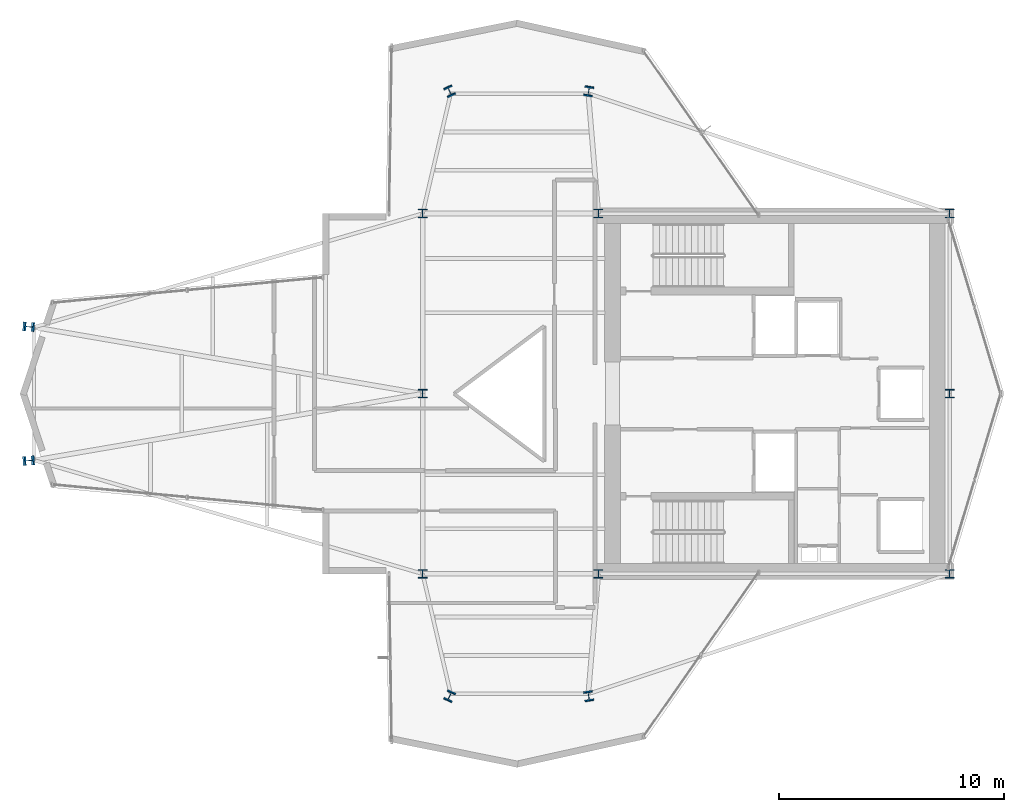
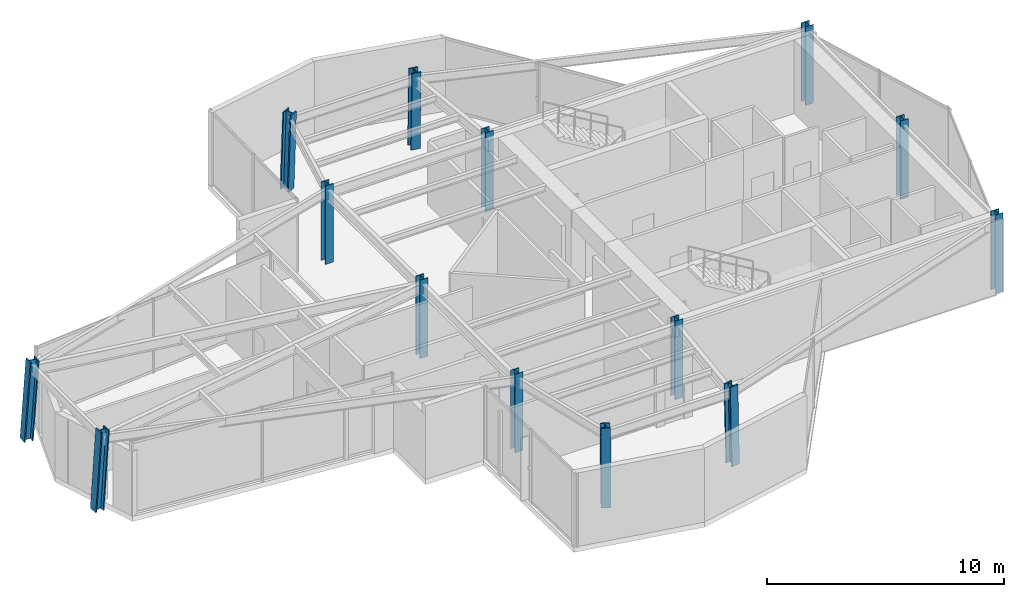
# One storey, part 1 of 23: 14 columns.
"""IFC4 building model written with IfcOpenShell, lengths in metres."""

from ifc_helpers import new_model, si_unit, direction, frame, origin, origin_2d, place, context, subcontext, project, spatial, i_section, extrude, material, material_profile, profile_set, type_object, element, save


model = new_model("IFC4")

# Units and contexts
model_context = context("Model", 3, precision=1e-05, world=origin(), true_north=direction((0.0, 1.0)))
body_context = subcontext(model_context, "Body", "Model", "MODEL_VIEW")
ifc_project = project(units=[si_unit("LENGTHUNIT", "METRE"), si_unit("AREAUNIT", "SQUARE_METRE"), si_unit("VOLUMEUNIT", "CUBIC_METRE"), si_unit("PLANEANGLEUNIT", "RADIAN"), si_unit("MASSUNIT", "GRAM", prefix="KILO")], contexts=[model_context])

# Site, building, storey
site_placement = place(None, origin())
site = spatial("IfcSite", under=ifc_project, at=site_placement, CompositionType="ELEMENT")
building_placement = place(site_placement, origin())
building = spatial("IfcBuilding", under=site, at=building_placement, Name="Veymaron Broadcast Tower", CompositionType="ELEMENT")
storey_placement = place(building_placement, frame((0.0, 0.0, 224.25)))
storey = spatial("IfcBuildingStorey", under=building, at=storey_placement, Name="L52", CompositionType="ELEMENT", Elevation=224.25)

# Columns
ifc_material_1 = material(Name="Structural steel ASTM A992 Gr 50", Category="steel")
ifc_material_profile_1 = material_profile(ifc_material_1, i_section(OverallWidth=0.39404296875, OverallDepth=0.375, WebThickness=0.017333984375, FlangeThickness=0.027587890625, at=origin_2d()), Name="W360X216")
ifc_profile_set_1 = profile_set([ifc_material_profile_1], Name="Structural steel ASTM A992 Gr 50")
column_type_1 = type_object("IfcColumnType", Name="COL-HC3", PredefinedType="COLUMN", material=ifc_profile_set_1)
for number, where, z_axis, x_axis, name in (
    (1, (31.199951171875, 16.0, 0.0), (0.0, 0.0, 1.0), (1.0, 0.0, 0.0), "L52 structural hub and core column"),
    (2, (31.199951171875, 24.0, 0.0), (0.0, 0.0, 1.0), (1.0, 0.0, 0.0), "L52 structural hub and core column"),
    (3, (31.199951171875, 32.0, 0.0), (0.0, 0.0, 1.0), (1.0, 0.0, 0.0), "L52 structural hub and core column"),
    (4, (39.0, 16.0, 0.0), (0.0, 0.0, 1.0), (1.0, 0.0, 0.0), "L52 structural hub and core column"),
    (5, (39.0, 32.0, 0.0), (0.0, 0.0, 1.0), (1.0, 0.0, 0.0), "L52 structural hub and core column"),
    (6, (54.60009765625, 16.0, 0.0), (0.0, 0.0, 1.0), (1.0, 0.0, 0.0), "L52 structural hub and core column"),
    (7, (54.60009765625, 24.0, 0.0), (0.0, 0.0, 1.0), (1.0, 0.0, 0.0), "L52 structural hub and core column"),
    (8, (54.60009765625, 32.0, 0.0), (0.0, 0.0, 1.0), (1.0, 0.0, 0.0), "L52 structural hub and core column"),
):
    element("IfcColumn", number, at=place(storey_placement, frame(where, z_axis=z_axis, x_axis=x_axis)), inside=storey, type_object=column_type_1, Name=name, PredefinedType="COLUMN", context=body_context, shape_type="SweptSolid", body=[
        extrude(i_section(OverallWidth=0.39404296875, OverallDepth=0.375, WebThickness=0.017333984375, FlangeThickness=0.027587890625, at=origin_2d()), origin(), (0.0, 0.0, 1.0), 4.0439453125),
    ])
ifc_material_2 = material(Name="Structural steel ASTM A913 Gr 65", Category="steel")
ifc_material_profile_2 = material_profile(ifc_material_2, i_section(OverallWidth=0.412109375, OverallDepth=0.43505859375, WebThickness=0.035888671875, FlangeThickness=0.05810546875, at=origin_2d()), Name="W360X463")
ifc_profile_set_2 = profile_set([ifc_material_profile_2], Name="Structural steel ASTM A913 Gr 65")
column_type_2 = type_object("IfcColumnType", Name="COL-MC3", PredefinedType="COLUMN", material=ifc_profile_set_2)
for number, where, z_axis, x_axis, name in (
    (9, (13.6650390625, 21.02490234375, 0.01611328125), (0.068501649112, 0.00497091613, 0.997638618971), (-0.07237606013, 0.997377413981, 0.0), "L52 Tapered Wing Mega Column"),
    (10, (13.6650390625, 26.97509765625, 0.01611328125), (0.068501649112, -0.00497091613, 0.997638618971), (0.07237606013, 0.997377413981, 0.0), "L52 Tapered Wing Mega Column"),
):
    element("IfcColumn", number, at=place(storey_placement, frame(where, z_axis=z_axis, x_axis=x_axis)), inside=storey, type_object=column_type_2, Name=name, PredefinedType="COLUMN", context=body_context, shape_type="SweptSolid", body=[
        extrude(i_section(OverallWidth=0.412109375, OverallDepth=0.43505859375, WebThickness=0.035888671875, FlangeThickness=0.05810546875, at=origin_2d()), origin(), (0.0, 0.0, 1.0), 4.02734375),
    ])
column_1_placement = place(storey_placement, frame((32.389892578125, 37.449951171875, 0.01611328125), z_axis=(0.013968236766, -0.029819148922, 0.999457706318), x_axis=(0.905569653976, 0.424197597586, 0.0)))
element("IfcColumn", 11, at=column_1_placement, inside=storey, type_object=column_type_2, Name="L52 Tapered Wing Mega Column", PredefinedType="COLUMN", context=body_context, shape_type="SweptSolid", body=[
    extrude(i_section(OverallWidth=0.412109375, OverallDepth=0.43505859375, WebThickness=0.035888671875, FlangeThickness=0.05810546875, at=origin_2d()), origin(), (0.0, 0.0, 1.0), 4.02001953125),
])
column_2_placement = place(storey_placement, frame((38.574951171875, 37.449951171875, 0.01611328125), z_axis=(-0.004980404192, -0.029821688517, 0.99954282673), x_axis=(0.986339577116, -0.164724735893, 0.0)))
element("IfcColumn", 12, at=column_2_placement, inside=storey, type_object=column_type_2, Name="L52 Tapered Wing Mega Column", PredefinedType="COLUMN", context=body_context, shape_type="SweptSolid", body=[
    extrude(i_section(OverallWidth=0.412109375, OverallDepth=0.43505859375, WebThickness=0.035888671875, FlangeThickness=0.05810546875, at=origin_2d()), origin(), (0.0, 0.0, 1.0), 4.019775390625),
])
column_3_placement = place(storey_placement, frame((32.389892578125, 10.550048828125, 0.01611328125), z_axis=(0.013968236766, 0.029819148922, 0.999457706318), x_axis=(-0.905569653976, 0.424197597586, 0.0)))
element("IfcColumn", 13, at=column_3_placement, inside=storey, type_object=column_type_2, Name="L52 Tapered Wing Mega Column", PredefinedType="COLUMN", context=body_context, shape_type="SweptSolid", body=[
    extrude(i_section(OverallWidth=0.412109375, OverallDepth=0.43505859375, WebThickness=0.035888671875, FlangeThickness=0.05810546875, at=origin_2d()), origin(), (0.0, 0.0, 1.0), 4.02001953125),
])
column_4_placement = place(storey_placement, frame((38.574951171875, 10.550048828125, 0.01611328125), z_axis=(-0.004980404192, 0.029821688517, 0.99954282673), x_axis=(-0.986339577116, -0.164724735893, 0.0)))
element("IfcColumn", 14, at=column_4_placement, inside=storey, type_object=column_type_2, Name="L52 Tapered Wing Mega Column", PredefinedType="COLUMN", context=body_context, shape_type="SweptSolid", body=[
    extrude(i_section(OverallWidth=0.412109375, OverallDepth=0.43505859375, WebThickness=0.035888671875, FlangeThickness=0.05810546875, at=origin_2d()), origin(), (0.0, 0.0, 1.0), 4.019775390625),
])

save(model, "model.ifc")
